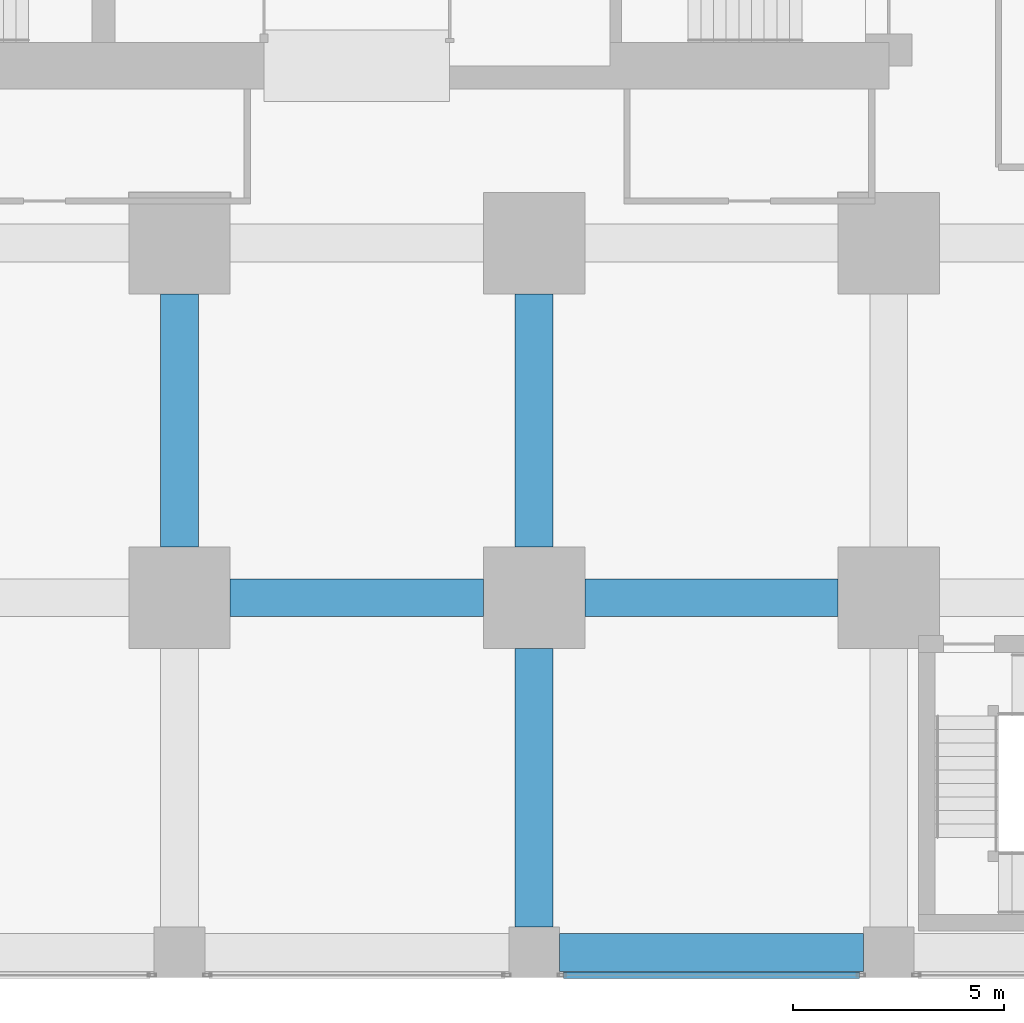
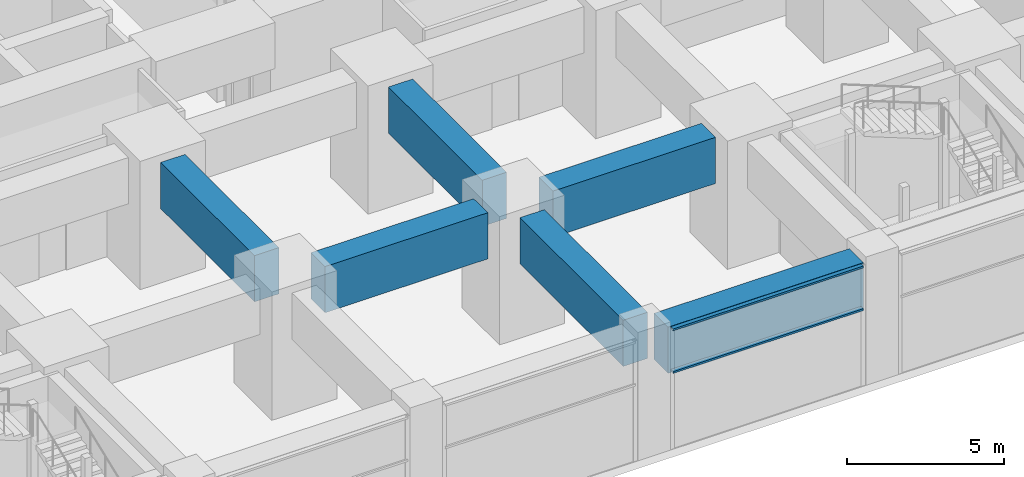
# One storey, part 14 of 49: 6 beams, 2 members, 1 element without a shape of its own.
"""IFC4 building model written with IfcOpenShell, lengths in metres."""

from ifc_helpers import new_model, si_unit, direction, frame, origin, origin_2d, place, context, subcontext, project, spatial, rectangle, hollow_rectangle, extrude, material, material_profile, profile_set, type_object, element, aggregate, save


model = new_model("IFC4")

# Units and contexts
model_context = context("Model", 3, precision=1e-05, world=origin(), true_north=direction((0.0, 1.0)))
body_context = subcontext(model_context, "Body", "Model", "MODEL_VIEW")
ifc_project = project(units=[si_unit("LENGTHUNIT", "METRE"), si_unit("AREAUNIT", "SQUARE_METRE"), si_unit("VOLUMEUNIT", "CUBIC_METRE"), si_unit("PLANEANGLEUNIT", "RADIAN"), si_unit("MASSUNIT", "GRAM", prefix="KILO")], contexts=[model_context])

# Site, building, storey
site_placement = place(None, origin())
site = spatial("IfcSite", under=ifc_project, at=site_placement, CompositionType="ELEMENT")
building_placement = place(site_placement, origin())
building = spatial("IfcBuilding", under=site, at=building_placement, Name="Rekha Terrace Tower", CompositionType="ELEMENT")
storey_placement = place(building_placement, frame((0.0, 0.0, 10.39990234375)))
storey = spatial("IfcBuildingStorey", under=building, at=storey_placement, Name="L02", CompositionType="ELEMENT", Elevation=10.39990234375)

# Curtain wall, members
ifc_material_1 = material(Name="Aluminium framing", Category="aluminium")
curtain_wall_type = type_object("IfcCurtainWallType", Name="CW4 podium shopfront glazing", PredefinedType="USERDEFINED", material=ifc_material_1)
curtain_wall_placement = place(storey_placement, origin())
curtain_wall = element("IfcCurtainWall", 1, at=curtain_wall_placement, inside=storey, type_object=curtain_wall_type, Name="CW4 shopfront curtain wall", ObjectType="SHOPFRONT CURTAIN WALL", PredefinedType="USERDEFINED")
ifc_material_2 = material(Name="Aluminium transom section", Category="aluminium")
ifc_material_profile_1 = material_profile(ifc_material_2, hollow_rectangle(XDim=0.14990234375, YDim=0.074951171875, WallThickness=0.0029296875, at=origin_2d()), Name="AL RHS 150x75")
ifc_profile_set_1 = profile_set([ifc_material_profile_1], Name="Aluminium transom section")
member_type = type_object("IfcMemberType", Name="CW4 transom RHS 75 x 150", PredefinedType="USERDEFINED", material=ifc_profile_set_1)
member_1_placement = place(storey_placement, frame((42.695068359375, -0.5400390625, 3.0), z_axis=(1.0, 0.0, 0.0), x_axis=(0.0, 1.0, 0.0)))
member_1 = element("IfcMember", 2, at=member_1_placement, type_object=member_type, Name="CW4 transom 1.2", ObjectType="TRANSOM", PredefinedType="USERDEFINED", context=body_context, shape_type="SweptSolid", body=[
    extrude(hollow_rectangle(XDim=0.14990234375, YDim=0.074951171875, WallThickness=0.0029296875, at=origin_2d()), origin(), (0.0, 0.0, 1.0), 7.010009765625),
])
member_2_placement = place(storey_placement, frame((42.695068359375, -0.5400390625, 4.66259765625), z_axis=(1.0, 0.0, 0.0), x_axis=(0.0, 1.0, 0.0)))
member_2 = element("IfcMember", 3, at=member_2_placement, type_object=member_type, Name="CW4 transom 1.3", ObjectType="TRANSOM", PredefinedType="USERDEFINED", context=body_context, shape_type="SweptSolid", body=[
    extrude(hollow_rectangle(XDim=0.14990234375, YDim=0.074951171875, WallThickness=0.0029296875, at=origin_2d()), origin(), (0.0, 0.0, 1.0), 7.010009765625),
])
aggregate(curtain_wall, [member_1, member_2])

# Beams
ifc_material_3 = material(Name="Concrete M60", Category="concrete")
ifc_material_profile_2 = material_profile(ifc_material_3, rectangle(XDim=0.89990234375, YDim=1.800048828125, at=origin_2d()), Name="RC 900x1800")
ifc_profile_set_2 = profile_set([ifc_material_profile_2], Name="Concrete M60")
beam_type = type_object("IfcBeamType", Name="G1 900x1800 podium floor beam", PredefinedType="BEAM", material=ifc_profile_set_2)
for number, where, z_axis, x_axis, name in (
    (4, (34.800048828125, 8.39990234375, 3.800048828125), (1.0, 0.0, 0.0), (0.0, 1.0, 0.0), "Beam G1 5B-6B under L03"),
    (5, (33.60009765625, 9.60009765625, 3.800048828125), (0.0, 1.0, 0.0), (-1.0, 0.0, 0.0), "Beam G1 5B-5C under L03"),
):
    element("IfcBeam", number, at=place(storey_placement, frame(where, z_axis=z_axis, x_axis=x_axis)), inside=storey, type_object=beam_type, Name=name, PredefinedType="BEAM", context=body_context, shape_type="SweptSolid", body=[
        extrude(rectangle(XDim=0.89990234375, YDim=1.800048828125, at=origin_2d()), origin(), (0.0, 0.0, 1.0), 6.0),
    ])
beam_1_placement = place(storey_placement, frame((42.60009765625, 0.0, 3.800048828125), z_axis=(1.0, 0.0, 0.0), x_axis=(0.0, 1.0, 0.0)))
element("IfcBeam", 6, at=beam_1_placement, inside=storey, type_object=beam_type, Name="Beam G1 6A-7A under L03", PredefinedType="BEAM", context=body_context, shape_type="SweptSolid", body=[
    extrude(rectangle(XDim=0.89990234375, YDim=1.800048828125, at=origin_2d()), origin(), (0.0, 0.0, 1.0), 7.199951171875),
])
beam_2_placement = place(storey_placement, frame((42.0, 0.60009765625, 3.800048828125), z_axis=(0.0, 1.0, 0.0), x_axis=(-1.0, 0.0, 0.0)))
element("IfcBeam", 7, at=beam_2_placement, inside=storey, type_object=beam_type, Name="Beam G1 6A-6B under L03", PredefinedType="BEAM", context=body_context, shape_type="SweptSolid", body=[
    extrude(rectangle(XDim=0.89990234375, YDim=1.800048828125, at=origin_2d()), origin(), (0.0, 0.0, 1.0), 6.599853515625),
])
for number, where, z_axis, x_axis, name in (
    (8, (43.199951171875, 8.39990234375, 3.800048828125), (1.0, 0.0, 0.0), (0.0, 1.0, 0.0), "Beam G1 6B-7B under L03"),
    (9, (42.0, 9.60009765625, 3.800048828125), (0.0, 1.0, 0.0), (-1.0, 0.0, 0.0), "Beam G1 6B-6C under L03"),
):
    element("IfcBeam", number, at=place(storey_placement, frame(where, z_axis=z_axis, x_axis=x_axis)), inside=storey, type_object=beam_type, Name=name, PredefinedType="BEAM", context=body_context, shape_type="SweptSolid", body=[
        extrude(rectangle(XDim=0.89990234375, YDim=1.800048828125, at=origin_2d()), origin(), (0.0, 0.0, 1.0), 6.0),
    ])

save(model, "model.ifc")
